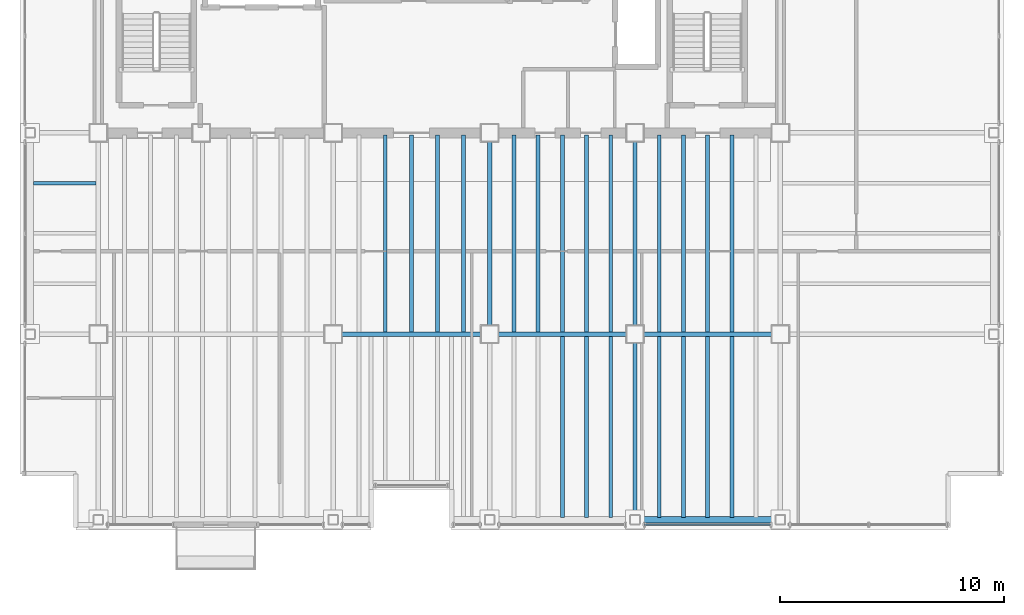
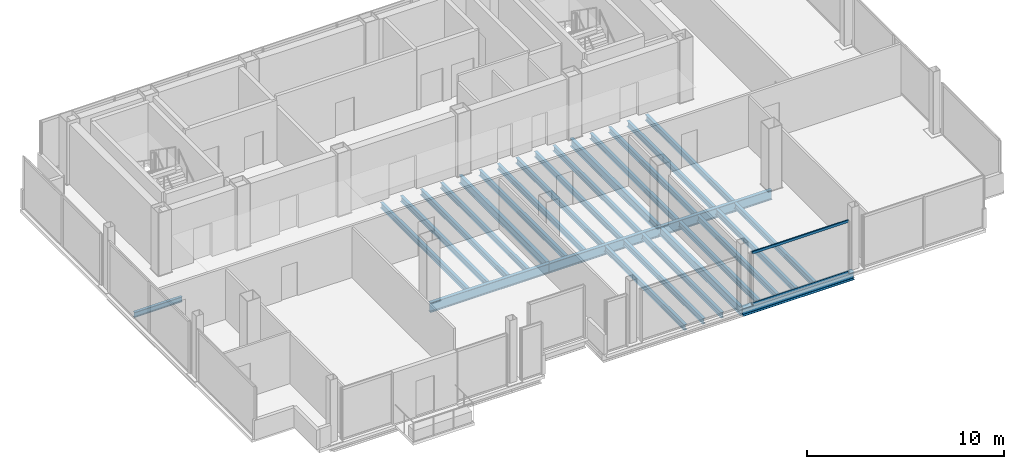
# One storey, part 5 of 15: 28 beams, 2 members, 1 element without a shape of its own.
"""IFC4 building model written with IfcOpenShell, lengths in metres."""

from ifc_helpers import new_model, si_unit, direction, frame, origin, origin_2d, place, context, subcontext, project, spatial, hollow_rectangle, i_section, extrude, material, material_profile, profile_set, type_object, element, aggregate, save


model = new_model("IFC4")

# Units and contexts
model_context = context("Model", 3, precision=1e-05, world=origin(), true_north=direction((0.0, 1.0)))
body_context = subcontext(model_context, "Body", "Model", "MODEL_VIEW")
ifc_project = project(units=[si_unit("LENGTHUNIT", "METRE"), si_unit("AREAUNIT", "SQUARE_METRE"), si_unit("VOLUMEUNIT", "CUBIC_METRE"), si_unit("PLANEANGLEUNIT", "RADIAN"), si_unit("MASSUNIT", "GRAM", prefix="KILO")], contexts=[model_context])

# Site, building, storey
site_placement = place(None, origin())
site = spatial("IfcSite", under=ifc_project, at=site_placement, CompositionType="ELEMENT")
building_placement = place(site_placement, origin())
building = spatial("IfcBuilding", under=site, at=building_placement, Name="Noeulbin Bourse Tower", CompositionType="ELEMENT")
storey_placement = place(building_placement, frame((0.0, 0.0, 211.10009765625)))
storey = spatial("IfcBuildingStorey", under=building, at=storey_placement, Name="L52", CompositionType="ELEMENT", Elevation=211.10009765625)

# Beams
ifc_material_1 = material(Name="Steel S355", Category="steel")
ifc_material_profile_1 = material_profile(ifc_material_1, i_section(OverallWidth=0.199951171875, OverallDepth=0.5, WebThickness=0.010009765625, FlangeThickness=0.01611328125, FilletRadius=0.02001953125, at=origin_2d()), Name="H-500x200x10x16", Category="LoadBearing")
ifc_profile_set_1 = profile_set([ifc_material_profile_1], Name="Steel S355")
beam_type_1 = type_object("IfcBeamType", Name="BM-GRD-500", PredefinedType="USERDEFINED", material=ifc_profile_set_1)
beam_1_placement = place(storey_placement, frame((31.0, 20.0, -0.43017578125), z_axis=(0.0, 1.0, 0.0), x_axis=(-1.0, 0.0, 0.0)))
element("IfcBeam", 1, at=beam_1_placement, inside=storey, type_object=beam_type_1, Name="Tower Primary Girder NS L52-3.2", ObjectType="GIRDER", PredefinedType="USERDEFINED", context=body_context, shape_type="SweptSolid", body=[
    extrude(i_section(OverallWidth=0.199951171875, OverallDepth=0.5, WebThickness=0.010009765625, FlangeThickness=0.01611328125, FilletRadius=0.02001953125, at=origin_2d()), origin(), (0.0, 0.0, 1.0), 9.0),
])
beam_2_placement = place(storey_placement, frame((37.5, 11.699951171875, -0.43017578125), z_axis=(0.0, 1.0, 0.0), x_axis=(-1.0, 0.0, 0.0)))
element("IfcBeam", 2, at=beam_2_placement, inside=storey, type_object=beam_type_1, Name="Tower Primary Girder NS L52-4.1", ObjectType="GIRDER", PredefinedType="USERDEFINED", context=body_context, shape_type="SweptSolid", body=[
    extrude(i_section(OverallWidth=0.199951171875, OverallDepth=0.5, WebThickness=0.010009765625, FlangeThickness=0.01611328125, FilletRadius=0.02001953125, at=origin_2d()), origin(), (0.0, 0.0, 1.0), 8.300048828125),
])
beam_3_placement = place(storey_placement, frame((37.5, 20.0, -0.43017578125), z_axis=(0.0, 1.0, 0.0), x_axis=(-1.0, 0.0, 0.0)))
element("IfcBeam", 3, at=beam_3_placement, inside=storey, type_object=beam_type_1, Name="Tower Primary Girder NS L52-4.2", ObjectType="GIRDER", PredefinedType="USERDEFINED", context=body_context, shape_type="SweptSolid", body=[
    extrude(i_section(OverallWidth=0.199951171875, OverallDepth=0.5, WebThickness=0.010009765625, FlangeThickness=0.01611328125, FilletRadius=0.02001953125, at=origin_2d()), origin(), (0.0, 0.0, 1.0), 9.0),
])
ifc_material_profile_2 = material_profile(ifc_material_1, i_section(OverallWidth=0.199951171875, OverallDepth=0.60009765625, WebThickness=0.010986328125, FlangeThickness=0.01708984375, FilletRadius=0.02197265625, at=origin_2d()), Name="H-600x200x11x17", Category="LoadBearing")
ifc_profile_set_2 = profile_set([ifc_material_profile_2], Name="Steel S355")
beam_type_2 = type_object("IfcBeamType", Name="BM-GRD-600", PredefinedType="USERDEFINED", material=ifc_profile_set_2)
beam_4_placement = place(storey_placement, frame((24.0, 20.0, -0.47998046875), z_axis=(1.0, 0.0, 0.0), x_axis=(0.0, 1.0, 0.0)))
element("IfcBeam", 4, at=beam_4_placement, inside=storey, type_object=beam_type_2, Name="Tower Primary Girder EW L52-1.3", ObjectType="GIRDER", PredefinedType="USERDEFINED", context=body_context, shape_type="SweptSolid", body=[
    extrude(i_section(OverallWidth=0.199951171875, OverallDepth=0.60009765625, WebThickness=0.010986328125, FlangeThickness=0.01708984375, FilletRadius=0.02197265625, at=origin_2d()), origin(), (0.0, 0.0, 1.0), 7.0),
])
for number, where, z_axis, x_axis, name in (
    (5, (31.0, 20.0, -0.47998046875), (1.0, 0.0, 0.0), (0.0, 1.0, 0.0), "Tower Primary Girder EW L52-1.4"),
    (6, (37.5, 20.0, -0.47998046875), (1.0, 0.0, 0.0), (0.0, 1.0, 0.0), "Tower Primary Girder EW L52-1.5"),
):
    element("IfcBeam", number, at=place(storey_placement, frame(where, z_axis=z_axis, x_axis=x_axis)), inside=storey, type_object=beam_type_2, Name=name, ObjectType="GIRDER", PredefinedType="USERDEFINED", context=body_context, shape_type="SweptSolid", body=[
        extrude(i_section(OverallWidth=0.199951171875, OverallDepth=0.60009765625, WebThickness=0.010986328125, FlangeThickness=0.01708984375, FilletRadius=0.02197265625, at=origin_2d()), origin(), (0.0, 0.0, 1.0), 6.5),
    ])
ifc_material_profile_3 = material_profile(ifc_material_1, i_section(OverallWidth=0.159912109375, OverallDepth=0.320068359375, WebThickness=0.006591796875, FlangeThickness=0.010009765625, FilletRadius=0.012939453125, at=origin_2d()), Name="H-320x160x6.5x10", Category="LoadBearing")
ifc_profile_set_3 = profile_set([ifc_material_profile_3], Name="Steel S355")
beam_type_3 = type_object("IfcBeamType", Name="BM-JST-320", PredefinedType="JOIST", material=ifc_profile_set_3)
beam_5_placement = place(storey_placement, frame((10.60009765625, 26.75, -0.340087890625), z_axis=(1.0, 0.0, 0.0), x_axis=(0.0, 1.0, 0.0)))
element("IfcBeam", 7, at=beam_5_placement, inside=storey, type_object=beam_type_3, Name="Wing Composite Joist L52-W49", PredefinedType="JOIST", context=body_context, shape_type="SweptSolid", body=[
    extrude(i_section(OverallWidth=0.159912109375, OverallDepth=0.320068359375, WebThickness=0.006591796875, FlangeThickness=0.010009765625, FilletRadius=0.012939453125, at=origin_2d()), origin(), (0.0, 0.0, 1.0), 2.7998046875),
])
ifc_material_profile_4 = material_profile(ifc_material_1, i_section(OverallWidth=0.175048828125, OverallDepth=0.35009765625, WebThickness=0.007080078125, FlangeThickness=0.010986328125, FilletRadius=0.013916015625, at=origin_2d()), Name="H-350x175x7x11", Category="LoadBearing")
ifc_profile_set_4 = profile_set([ifc_material_profile_4], Name="Steel S355")
beam_type_4 = type_object("IfcBeamType", Name="BM-JST-350", PredefinedType="JOIST", material=ifc_profile_set_4)
for number, where, z_axis, x_axis, name in (
    (8, (26.333251953125, 20.10009765625, -0.35498046875), (0.0, 1.0, 0.0), (-1.0, 0.0, 0.0), "Tower Composite Joist L52-20"),
    (9, (27.5, 20.10009765625, -0.35498046875), (0.0, 1.0, 0.0), (-1.0, 0.0, 0.0), "Tower Composite Joist L52-22"),
    (10, (28.666748046875, 20.10009765625, -0.35498046875), (0.0, 1.0, 0.0), (-1.0, 0.0, 0.0), "Tower Composite Joist L52-24"),
    (11, (29.833251953125, 20.10009765625, -0.35498046875), (0.0, 1.0, 0.0), (-1.0, 0.0, 0.0), "Tower Composite Joist L52-26"),
    (12, (32.083251953125, 20.10009765625, -0.35498046875), (0.0, 1.0, 0.0), (-1.0, 0.0, 0.0), "Tower Composite Joist L52-28"),
    (13, (33.166748046875, 20.10009765625, -0.35498046875), (0.0, 1.0, 0.0), (-1.0, 0.0, 0.0), "Tower Composite Joist L52-30"),
):
    element("IfcBeam", number, at=place(storey_placement, frame(where, z_axis=z_axis, x_axis=x_axis)), inside=storey, type_object=beam_type_4, Name=name, PredefinedType="JOIST", context=body_context, shape_type="SweptSolid", body=[
        extrude(i_section(OverallWidth=0.175048828125, OverallDepth=0.35009765625, WebThickness=0.007080078125, FlangeThickness=0.010986328125, FilletRadius=0.013916015625, at=origin_2d()), origin(), (0.0, 0.0, 1.0), 8.7998046875),
    ])
beam_6_placement = place(storey_placement, frame((34.25, 11.800048828125, -0.35498046875), z_axis=(0.0, 1.0, 0.0), x_axis=(-1.0, 0.0, 0.0)))
element("IfcBeam", 14, at=beam_6_placement, inside=storey, type_object=beam_type_4, Name="Tower Composite Joist L52-31", PredefinedType="JOIST", context=body_context, shape_type="SweptSolid", body=[
    extrude(i_section(OverallWidth=0.175048828125, OverallDepth=0.35009765625, WebThickness=0.007080078125, FlangeThickness=0.010986328125, FilletRadius=0.013916015625, at=origin_2d()), origin(), (0.0, 0.0, 1.0), 8.099853515625),
])
beam_7_placement = place(storey_placement, frame((34.25, 20.10009765625, -0.35498046875), z_axis=(0.0, 1.0, 0.0), x_axis=(-1.0, 0.0, 0.0)))
element("IfcBeam", 15, at=beam_7_placement, inside=storey, type_object=beam_type_4, Name="Tower Composite Joist L52-32", PredefinedType="JOIST", context=body_context, shape_type="SweptSolid", body=[
    extrude(i_section(OverallWidth=0.175048828125, OverallDepth=0.35009765625, WebThickness=0.007080078125, FlangeThickness=0.010986328125, FilletRadius=0.013916015625, at=origin_2d()), origin(), (0.0, 0.0, 1.0), 8.7998046875),
])
beam_8_placement = place(storey_placement, frame((35.333251953125, 11.800048828125, -0.35498046875), z_axis=(0.0, 1.0, 0.0), x_axis=(-1.0, 0.0, 0.0)))
element("IfcBeam", 16, at=beam_8_placement, inside=storey, type_object=beam_type_4, Name="Tower Composite Joist L52-33", PredefinedType="JOIST", context=body_context, shape_type="SweptSolid", body=[
    extrude(i_section(OverallWidth=0.175048828125, OverallDepth=0.35009765625, WebThickness=0.007080078125, FlangeThickness=0.010986328125, FilletRadius=0.013916015625, at=origin_2d()), origin(), (0.0, 0.0, 1.0), 8.099853515625),
])
beam_9_placement = place(storey_placement, frame((35.333251953125, 20.10009765625, -0.35498046875), z_axis=(0.0, 1.0, 0.0), x_axis=(-1.0, 0.0, 0.0)))
element("IfcBeam", 17, at=beam_9_placement, inside=storey, type_object=beam_type_4, Name="Tower Composite Joist L52-34", PredefinedType="JOIST", context=body_context, shape_type="SweptSolid", body=[
    extrude(i_section(OverallWidth=0.175048828125, OverallDepth=0.35009765625, WebThickness=0.007080078125, FlangeThickness=0.010986328125, FilletRadius=0.013916015625, at=origin_2d()), origin(), (0.0, 0.0, 1.0), 8.7998046875),
])
beam_10_placement = place(storey_placement, frame((36.416748046875, 11.800048828125, -0.35498046875), z_axis=(0.0, 1.0, 0.0), x_axis=(-1.0, 0.0, 0.0)))
element("IfcBeam", 18, at=beam_10_placement, inside=storey, type_object=beam_type_4, Name="Tower Composite Joist L52-35", PredefinedType="JOIST", context=body_context, shape_type="SweptSolid", body=[
    extrude(i_section(OverallWidth=0.175048828125, OverallDepth=0.35009765625, WebThickness=0.007080078125, FlangeThickness=0.010986328125, FilletRadius=0.013916015625, at=origin_2d()), origin(), (0.0, 0.0, 1.0), 8.099853515625),
])
beam_11_placement = place(storey_placement, frame((36.416748046875, 20.10009765625, -0.35498046875), z_axis=(0.0, 1.0, 0.0), x_axis=(-1.0, 0.0, 0.0)))
element("IfcBeam", 19, at=beam_11_placement, inside=storey, type_object=beam_type_4, Name="Tower Composite Joist L52-36", PredefinedType="JOIST", context=body_context, shape_type="SweptSolid", body=[
    extrude(i_section(OverallWidth=0.175048828125, OverallDepth=0.35009765625, WebThickness=0.007080078125, FlangeThickness=0.010986328125, FilletRadius=0.013916015625, at=origin_2d()), origin(), (0.0, 0.0, 1.0), 8.7998046875),
])
beam_12_placement = place(storey_placement, frame((38.583251953125, 11.800048828125, -0.35498046875), z_axis=(0.0, 1.0, 0.0), x_axis=(-1.0, 0.0, 0.0)))
element("IfcBeam", 20, at=beam_12_placement, inside=storey, type_object=beam_type_4, Name="Tower Composite Joist L52-37", PredefinedType="JOIST", context=body_context, shape_type="SweptSolid", body=[
    extrude(i_section(OverallWidth=0.175048828125, OverallDepth=0.35009765625, WebThickness=0.007080078125, FlangeThickness=0.010986328125, FilletRadius=0.013916015625, at=origin_2d()), origin(), (0.0, 0.0, 1.0), 8.099853515625),
])
beam_13_placement = place(storey_placement, frame((38.583251953125, 20.10009765625, -0.35498046875), z_axis=(0.0, 1.0, 0.0), x_axis=(-1.0, 0.0, 0.0)))
element("IfcBeam", 21, at=beam_13_placement, inside=storey, type_object=beam_type_4, Name="Tower Composite Joist L52-38", PredefinedType="JOIST", context=body_context, shape_type="SweptSolid", body=[
    extrude(i_section(OverallWidth=0.175048828125, OverallDepth=0.35009765625, WebThickness=0.007080078125, FlangeThickness=0.010986328125, FilletRadius=0.013916015625, at=origin_2d()), origin(), (0.0, 0.0, 1.0), 8.7998046875),
])
beam_14_placement = place(storey_placement, frame((39.666748046875, 11.800048828125, -0.35498046875), z_axis=(0.0, 1.0, 0.0), x_axis=(-1.0, 0.0, 0.0)))
element("IfcBeam", 22, at=beam_14_placement, inside=storey, type_object=beam_type_4, Name="Tower Composite Joist L52-39", PredefinedType="JOIST", context=body_context, shape_type="SweptSolid", body=[
    extrude(i_section(OverallWidth=0.175048828125, OverallDepth=0.35009765625, WebThickness=0.007080078125, FlangeThickness=0.010986328125, FilletRadius=0.013916015625, at=origin_2d()), origin(), (0.0, 0.0, 1.0), 8.099853515625),
])
beam_15_placement = place(storey_placement, frame((39.666748046875, 20.10009765625, -0.35498046875), z_axis=(0.0, 1.0, 0.0), x_axis=(-1.0, 0.0, 0.0)))
element("IfcBeam", 23, at=beam_15_placement, inside=storey, type_object=beam_type_4, Name="Tower Composite Joist L52-40", PredefinedType="JOIST", context=body_context, shape_type="SweptSolid", body=[
    extrude(i_section(OverallWidth=0.175048828125, OverallDepth=0.35009765625, WebThickness=0.007080078125, FlangeThickness=0.010986328125, FilletRadius=0.013916015625, at=origin_2d()), origin(), (0.0, 0.0, 1.0), 8.7998046875),
])
beam_16_placement = place(storey_placement, frame((40.75, 11.800048828125, -0.35498046875), z_axis=(0.0, 1.0, 0.0), x_axis=(-1.0, 0.0, 0.0)))
element("IfcBeam", 24, at=beam_16_placement, inside=storey, type_object=beam_type_4, Name="Tower Composite Joist L52-41", PredefinedType="JOIST", context=body_context, shape_type="SweptSolid", body=[
    extrude(i_section(OverallWidth=0.175048828125, OverallDepth=0.35009765625, WebThickness=0.007080078125, FlangeThickness=0.010986328125, FilletRadius=0.013916015625, at=origin_2d()), origin(), (0.0, 0.0, 1.0), 8.099853515625),
])
beam_17_placement = place(storey_placement, frame((40.75, 20.10009765625, -0.35498046875), z_axis=(0.0, 1.0, 0.0), x_axis=(-1.0, 0.0, 0.0)))
element("IfcBeam", 25, at=beam_17_placement, inside=storey, type_object=beam_type_4, Name="Tower Composite Joist L52-42", PredefinedType="JOIST", context=body_context, shape_type="SweptSolid", body=[
    extrude(i_section(OverallWidth=0.175048828125, OverallDepth=0.35009765625, WebThickness=0.007080078125, FlangeThickness=0.010986328125, FilletRadius=0.013916015625, at=origin_2d()), origin(), (0.0, 0.0, 1.0), 8.7998046875),
])
beam_18_placement = place(storey_placement, frame((41.833251953125, 11.800048828125, -0.35498046875), z_axis=(0.0, 1.0, 0.0), x_axis=(-1.0, 0.0, 0.0)))
element("IfcBeam", 26, at=beam_18_placement, inside=storey, type_object=beam_type_4, Name="Tower Composite Joist L52-43", PredefinedType="JOIST", context=body_context, shape_type="SweptSolid", body=[
    extrude(i_section(OverallWidth=0.175048828125, OverallDepth=0.35009765625, WebThickness=0.007080078125, FlangeThickness=0.010986328125, FilletRadius=0.013916015625, at=origin_2d()), origin(), (0.0, 0.0, 1.0), 8.099853515625),
])
beam_19_placement = place(storey_placement, frame((41.833251953125, 20.10009765625, -0.35498046875), z_axis=(0.0, 1.0, 0.0), x_axis=(-1.0, 0.0, 0.0)))
element("IfcBeam", 27, at=beam_19_placement, inside=storey, type_object=beam_type_4, Name="Tower Composite Joist L52-44", PredefinedType="JOIST", context=body_context, shape_type="SweptSolid", body=[
    extrude(i_section(OverallWidth=0.175048828125, OverallDepth=0.35009765625, WebThickness=0.007080078125, FlangeThickness=0.010986328125, FilletRadius=0.013916015625, at=origin_2d()), origin(), (0.0, 0.0, 1.0), 8.7998046875),
])
ifc_material_profile_5 = material_profile(ifc_material_1, i_section(OverallWidth=0.300048828125, OverallDepth=0.488037109375, WebThickness=0.010986328125, FlangeThickness=0.01806640625, FilletRadius=0.02197265625, at=origin_2d()), Name="H-488x300x11x18", Category="LoadBearing")
ifc_profile_set_5 = profile_set([ifc_material_profile_5], Name="Steel S355")
beam_type_5 = type_object("IfcBeamType", Name="BM-SPN-488", PredefinedType="SPANDREL", material=ifc_profile_set_5)
beam_20_placement = place(storey_placement, frame((37.5, 11.699951171875, -0.424072265625), z_axis=(1.0, 0.0, 0.0), x_axis=(0.0, 1.0, 0.0)))
element("IfcBeam", 28, at=beam_20_placement, inside=storey, type_object=beam_type_5, Name="South Spandrel L52-4", PredefinedType="SPANDREL", context=body_context, shape_type="SweptSolid", body=[
    extrude(i_section(OverallWidth=0.300048828125, OverallDepth=0.488037109375, WebThickness=0.010986328125, FlangeThickness=0.01806640625, FilletRadius=0.02197265625, at=origin_2d()), origin(), (0.0, 0.0, 1.0), 6.5),
])

# Curtain wall, members
ifc_material_2 = material(Name="High-Selectivity Low-Iron Glazing", Category="glass")
curtain_wall_type = type_object("IfcCurtainWallType", Name="CW-SYS-4", PredefinedType="NOTDEFINED", material=ifc_material_2)
curtain_wall_placement = place(storey_placement, origin())
curtain_wall = element("IfcCurtainWall", 29, at=curtain_wall_placement, inside=storey, type_object=curtain_wall_type, Name="Unitised Curtain Wall CW-L52-S3-S3", PredefinedType="NOTDEFINED")
ifc_material_3 = material(Name="Anodised Aluminium 6063-T6", Category="aluminium")
ifc_material_profile_6 = material_profile(ifc_material_3, hollow_rectangle(XDim=0.074951171875, YDim=0.159912109375, WallThickness=0.0048828125, InnerFilletRadius=0.00244140625, OuterFilletRadius=0.0048828125, at=origin_2d()), Name="ALU-TRAN-75x160x5", Category="LoadBearing")
ifc_profile_set_6 = profile_set([ifc_material_profile_6], Name="Anodised Aluminium 6063-T6")
member_type = type_object("IfcMemberType", Name="CW-SYS-4-TRN", PredefinedType="USERDEFINED", material=ifc_profile_set_6)
member_1_placement = place(storey_placement, frame((37.93505859375, 11.469970703125, 0.010009765625), z_axis=(1.0, 0.0, 0.0), x_axis=(0.0, 1.0, 0.0)))
member_1 = element("IfcMember", 30, at=member_1_placement, type_object=member_type, Name="Curtain Wall Transom CW-L52-S3-S3-T00", ObjectType="TRANSOM", PredefinedType="USERDEFINED", context=body_context, shape_type="SweptSolid", body=[
    extrude(hollow_rectangle(XDim=0.074951171875, YDim=0.159912109375, WallThickness=0.0048828125, InnerFilletRadius=0.00244140625, OuterFilletRadius=0.0048828125, at=origin_2d()), origin(), (0.0, 0.0, 1.0), 5.6298828125),
])
member_2_placement = place(storey_placement, frame((37.93505859375, 11.469970703125, 3.169921875), z_axis=(1.0, 0.0, 0.0), x_axis=(0.0, 1.0, 0.0)))
member_2 = element("IfcMember", 31, at=member_2_placement, type_object=member_type, Name="Curtain Wall Transom CW-L52-S3-S3-T01", ObjectType="TRANSOM", PredefinedType="USERDEFINED", context=body_context, shape_type="SweptSolid", body=[
    extrude(hollow_rectangle(XDim=0.074951171875, YDim=0.159912109375, WallThickness=0.0048828125, InnerFilletRadius=0.00244140625, OuterFilletRadius=0.0048828125, at=origin_2d()), origin(), (0.0, 0.0, 1.0), 5.6298828125),
])
aggregate(curtain_wall, [member_1, member_2])

save(model, "model.ifc")
